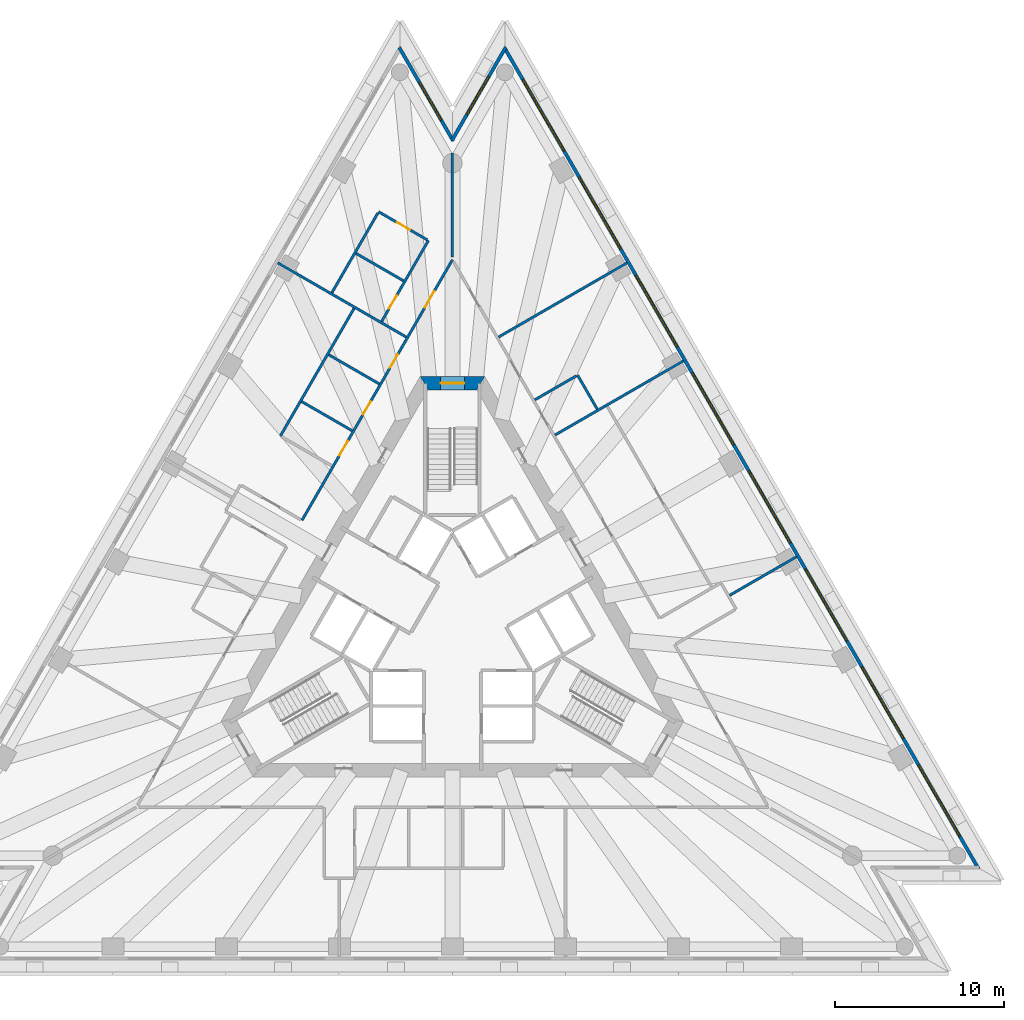
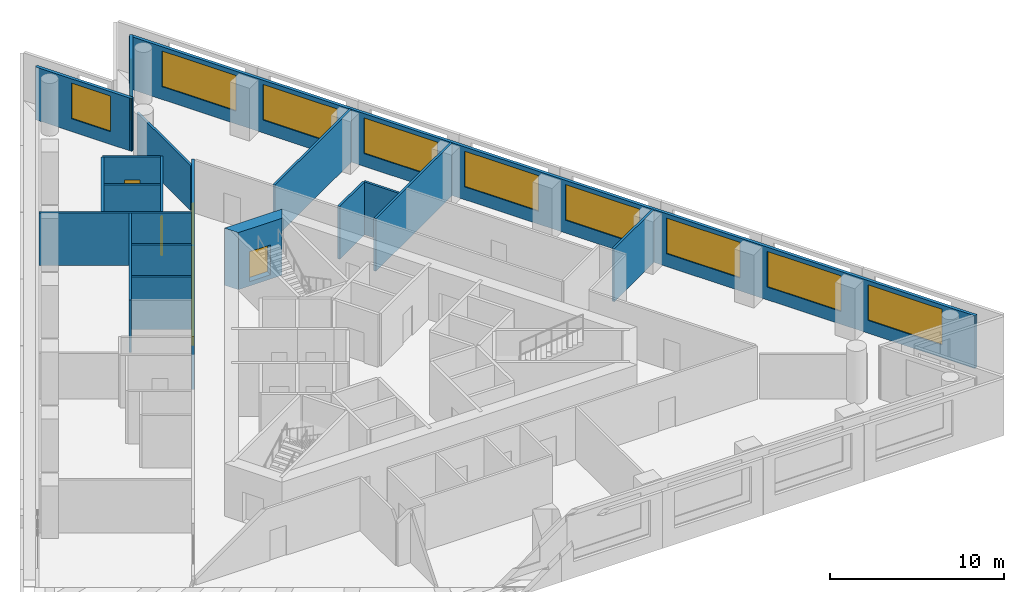
# One storey, part 6 of 9: 19 walls, 10 windows, 7 doors, 17 openings.
"""IFC4 building model written with IfcOpenShell, lengths in metres."""

from ifc_helpers import new_model, si_unit, direction, frame, frame_2d, origin, place, context, subcontext, project, spatial, polyline, rectangle, outline, extrude, material, layer, layer_set, layer_usage, type_object, element, fill, save


model = new_model("IFC4")

# Units and contexts
model_context = context("Model", 3, precision=1e-05, world=origin(), true_north=direction((0.0, 1.0)))
body_context = subcontext(model_context, "Body", "Model", "MODEL_VIEW")
ifc_project = project(units=[si_unit("LENGTHUNIT", "METRE"), si_unit("AREAUNIT", "SQUARE_METRE"), si_unit("VOLUMEUNIT", "CUBIC_METRE"), si_unit("PLANEANGLEUNIT", "RADIAN"), si_unit("MASSUNIT", "GRAM", prefix="KILO")], contexts=[model_context])

# Site, building, storey
site_placement = place(None, origin())
site = spatial("IfcSite", under=ifc_project, at=site_placement, CompositionType="ELEMENT")
building_placement = place(site_placement, origin())
building = spatial("IfcBuilding", under=site, at=building_placement, Name="Triada Interchange Tower", CompositionType="ELEMENT")
storey_placement = place(building_placement, frame((0.0, 0.0, 140.300048828125)))
storey = spatial("IfcBuildingStorey", under=building, at=storey_placement, Name="L32", CompositionType="ELEMENT", Elevation=140.300048828125)

# Wall, opening, door
ifc_material_1 = material(Name="Concrete C60/75", Category="concrete")
ifc_layer_1 = layer(ifc_material_1, 0.800048828125)
ifc_layer_set_1 = layer_set([ifc_layer_1], Name="Core wall B 800")
wall_type_1 = type_object("IfcWallType", Name="Core wall B 800", PredefinedType="SHEAR", material=ifc_layer_set_1)
wall_1_placement = place(storey_placement, frame((1.674072265625, 14.300048828125, -0.300048828125), z_axis=(0.0, 0.0, 1.0), x_axis=(-1.0, 0.0, 0.0)))
wall_1 = element("IfcWall", 1, at=wall_1_placement, inside=storey, type_object=wall_type_1, Name="Core wall WB01 L32", PredefinedType="SHEAR", context=body_context, shape_type="SweptSolid", body=[
    extrude(outline(polyline([(-0.23095703125, -0.39990234375), (1.674072265625, -0.39990234375), (3.5791015625, -0.39990234375), (3.116943359375, 0.39990234375), (1.673828125, 0.39990234375), (0.23095703125, 0.39990234375), (-0.23095703125, -0.39990234375)])), origin(), (0.0, 0.0, 1.0), 4.0),
])
opening_1_placement = place(wall_1_placement, frame((0.97412109375, 0.0, 0.300048828125)))
opening_1 = element("IfcOpeningElement", 2, at=opening_1_placement, cuts=wall_1, Name="Opening D32-35", PredefinedType="OPENING", context=body_context, shape_type="SweptSolid", body=[
    extrude(rectangle(XDim=1.39990234375, YDim=2.10009765625, at=frame_2d((0.699951171875, 1.050048828125))), frame((0.0, 0.409912109375, 0.0), z_axis=(0.0, -1.0, 0.0), x_axis=(1.0, 0.0, 0.0)), (0.0, 0.0, 1.0), 0.820068359375),
])
ifc_material_2 = material(Name="Steel S235 door leaf", Category="steel")
door_type_1 = type_object("IfcDoorType", Name="STAIR DOOR 1400 EI2 90-C5S200", OperationType="DOUBLE_DOOR_SINGLE_SWING", PredefinedType="DOOR", material=ifc_material_2)
door_1_placement = place(opening_1_placement, origin())
door_1 = element("IfcDoor", 3, at=door_1_placement, inside=storey, type_object=door_type_1, Name="Door D32-35 L32", OperationType="DOUBLE_DOOR_SINGLE_SWING", OverallHeight=2.10009765625, OverallWidth=1.39990234375, PredefinedType="DOOR", context=body_context, shape_type="SweptSolid", body=[
    extrude(rectangle(XDim=1.39990234375, YDim=2.10009765625, at=frame_2d((0.699951171875, 1.050048828125))), frame((0.0, 0.02490234375, 0.0), z_axis=(0.0, -1.0, 0.0), x_axis=(1.0, 0.0, 0.0)), (0.0, 0.0, 1.0), 0.050048828125),
])
fill(opening_1, door_1)

# Wall, openings, windows
ifc_material_3 = material(Name="Cement board")
ifc_layer_2 = layer(ifc_material_3, 0.02001953125, Name="Cement board cladding")
ifc_material_4 = material(Name="Sheathing board")
ifc_layer_3 = layer(ifc_material_4, 0.014892578125, Name="Sheathing board")
ifc_material_5 = material(Name="Mineral wool")
ifc_layer_4 = layer(ifc_material_5, 0.14990234375, Name="Mineral wool between steel studs")
ifc_material_6 = material(Name="Gypsum board")
ifc_layer_5 = layer(ifc_material_6, 0.014892578125, Name="Plasterboard lining")
ifc_layer_set_2 = layer_set([ifc_layer_2, ifc_layer_3, ifc_layer_4, ifc_layer_5], Name="External wall 200")
ifc_layer_usage = layer_usage(ifc_layer_set_2, "AXIS2", "POSITIVE", -0.10009765625)
wall_type_2 = type_object("IfcWallType", Name="External wall 200", PredefinedType="ELEMENTEDWALL", material=ifc_layer_set_2)
wall_2_placement = place(storey_placement, frame((31.1259765625, -14.43310546875, 0.0), z_axis=(0.0, 0.0, 1.0), x_axis=(-0.500008098571, 0.866020728022, 0.0)))
wall_2 = element("IfcWall", 4, at=wall_2_placement, inside=storey, type_object=wall_type_2, material=ifc_layer_usage, Name="External wall L32 NE", PredefinedType="ELEMENTEDWALL", context=body_context, shape_type="SweptSolid", body=[
    extrude(rectangle(XDim=56.10498046875, YDim=0.199951171875, at=frame_2d((28.052490234375, 0.0))), origin(), (0.0, 0.0, 1.0), 3.699951171875),
])
opening_2_placement = place(wall_2_placement, frame((2.197998046875, 0.0, 0.89990234375)))
opening_2 = element("IfcOpeningElement", 5, at=opening_2_placement, cuts=wall_2, Name="Opening WB21", PredefinedType="OPENING", context=body_context, shape_type="SweptSolid", body=[
    extrude(rectangle(XDim=4.89990234375, YDim=2.5, at=frame_2d((2.449951171875, 1.25))), frame((0.0, 0.10986328125, 0.0), z_axis=(0.0, -1.0, 0.0), x_axis=(1.0, 0.0, 0.0)), (0.0, 0.0, 1.0), 0.219970703125),
])
opening_3_placement = place(wall_2_placement, frame((8.887939453125, 0.0, 0.89990234375)))
opening_3 = element("IfcOpeningElement", 6, at=opening_3_placement, cuts=wall_2, Name="Opening WB22", PredefinedType="OPENING", context=body_context, shape_type="SweptSolid", body=[
    extrude(rectangle(XDim=4.89990234375, YDim=2.5, at=frame_2d((2.449951171875, 1.25))), frame((0.0, 0.10986328125, 0.0), z_axis=(0.0, -1.0, 0.0), x_axis=(1.0, 0.0, 0.0)), (0.0, 0.0, 1.0), 0.219970703125),
])
opening_4_placement = place(wall_2_placement, frame((15.577880859375, 0.0, 0.89990234375)))
opening_4 = element("IfcOpeningElement", 7, at=opening_4_placement, cuts=wall_2, Name="Opening WB23", PredefinedType="OPENING", context=body_context, shape_type="SweptSolid", body=[
    extrude(rectangle(XDim=4.89990234375, YDim=2.5, at=frame_2d((2.449951171875, 1.25))), frame((0.0, 0.10986328125, 0.0), z_axis=(0.0, -1.0, 0.0), x_axis=(1.0, 0.0, 0.0)), (0.0, 0.0, 1.0), 0.219970703125),
])
opening_5_placement = place(wall_2_placement, frame((22.26708984375, 0.0, 0.89990234375)))
opening_5 = element("IfcOpeningElement", 8, at=opening_5_placement, cuts=wall_2, Name="Opening WB24", PredefinedType="OPENING", context=body_context, shape_type="SweptSolid", body=[
    extrude(rectangle(XDim=4.89990234375, YDim=2.5, at=frame_2d((2.449951171875, 1.25))), frame((0.0, 0.10986328125, 0.0), z_axis=(0.0, -1.0, 0.0), x_axis=(1.0, 0.0, 0.0)), (0.0, 0.0, 1.0), 0.219970703125),
])
opening_6_placement = place(wall_2_placement, frame((28.95703125, 0.0, 0.89990234375)))
opening_6 = element("IfcOpeningElement", 9, at=opening_6_placement, cuts=wall_2, Name="Opening WB25", PredefinedType="OPENING", context=body_context, shape_type="SweptSolid", body=[
    extrude(rectangle(XDim=4.89990234375, YDim=2.5, at=frame_2d((2.449951171875, 1.25))), frame((0.0, 0.10986328125, 0.0), z_axis=(0.0, -1.0, 0.0), x_axis=(1.0, 0.0, 0.0)), (0.0, 0.0, 1.0), 0.219970703125),
])
opening_7_placement = place(wall_2_placement, frame((35.64697265625, 0.0, 0.89990234375)))
opening_7 = element("IfcOpeningElement", 10, at=opening_7_placement, cuts=wall_2, Name="Opening WB26", PredefinedType="OPENING", context=body_context, shape_type="SweptSolid", body=[
    extrude(rectangle(XDim=4.89990234375, YDim=2.5, at=frame_2d((2.449951171875, 1.25))), frame((0.0, 0.10986328125, 0.0), z_axis=(0.0, -1.0, 0.0), x_axis=(1.0, 0.0, 0.0)), (0.0, 0.0, 1.0), 0.219970703125),
])
opening_8_placement = place(wall_2_placement, frame((42.3369140625, 0.0, 0.89990234375)))
opening_8 = element("IfcOpeningElement", 11, at=opening_8_placement, cuts=wall_2, Name="Opening WB27", PredefinedType="OPENING", context=body_context, shape_type="SweptSolid", body=[
    extrude(rectangle(XDim=4.89990234375, YDim=2.5, at=frame_2d((2.449951171875, 1.25))), frame((0.0, 0.10986328125, 0.0), z_axis=(0.0, -1.0, 0.0), x_axis=(1.0, 0.0, 0.0)), (0.0, 0.0, 1.0), 0.219970703125),
])
opening_9_placement = place(wall_2_placement, frame((49.027099609375, 0.0, 0.89990234375)))
opening_9 = element("IfcOpeningElement", 12, at=opening_9_placement, cuts=wall_2, Name="Opening WB28", PredefinedType="OPENING", context=body_context, shape_type="SweptSolid", body=[
    extrude(rectangle(XDim=4.89990234375, YDim=2.5, at=frame_2d((2.449951171875, 1.25))), frame((0.0, 0.10986328125, 0.0), z_axis=(0.0, -1.0, 0.0), x_axis=(1.0, 0.0, 0.0)), (0.0, 0.0, 1.0), 0.219970703125),
])
ifc_material_7 = material(Name="Double glazed aluminium window", Category="aluminium")
window_type_1 = type_object("IfcWindowType", Name="Ribbon window B face", PartitioningType="SINGLE_PANEL", PredefinedType="WINDOW", material=ifc_material_7)
window_1_placement = place(opening_2_placement, origin())
window_1 = element("IfcWindow", 13, at=window_1_placement, inside=storey, type_object=window_type_1, Name="Window L32 NE 1", OverallHeight=2.5, OverallWidth=4.89990234375, PartitioningType="SINGLE_PANEL", PredefinedType="WINDOW", context=body_context, shape_type="SweptSolid", body=[
    extrude(rectangle(XDim=4.89990234375, YDim=2.5, at=frame_2d((2.449951171875, 1.25))), frame((0.0, 0.030029296875, 0.0), z_axis=(0.0, -1.0, 0.0), x_axis=(1.0, 0.0, 0.0)), (0.0, 0.0, 1.0), 0.06005859375),
])
fill(opening_2, window_1)
window_2_placement = place(opening_3_placement, origin())
window_2 = element("IfcWindow", 14, at=window_2_placement, inside=storey, type_object=window_type_1, Name="Window L32 NE 2", OverallHeight=2.5, OverallWidth=4.89990234375, PartitioningType="SINGLE_PANEL", PredefinedType="WINDOW", context=body_context, shape_type="SweptSolid", body=[
    extrude(rectangle(XDim=4.89990234375, YDim=2.5, at=frame_2d((2.449951171875, 1.25))), frame((0.0, 0.030029296875, 0.0), z_axis=(0.0, -1.0, 0.0), x_axis=(1.0, 0.0, 0.0)), (0.0, 0.0, 1.0), 0.06005859375),
])
fill(opening_3, window_2)
window_3_placement = place(opening_4_placement, origin())
window_3 = element("IfcWindow", 15, at=window_3_placement, inside=storey, type_object=window_type_1, Name="Window L32 NE 3", OverallHeight=2.5, OverallWidth=4.89990234375, PartitioningType="SINGLE_PANEL", PredefinedType="WINDOW", context=body_context, shape_type="SweptSolid", body=[
    extrude(rectangle(XDim=4.89990234375, YDim=2.5, at=frame_2d((2.449951171875, 1.25))), frame((0.0, 0.030029296875, 0.0), z_axis=(0.0, -1.0, 0.0), x_axis=(1.0, 0.0, 0.0)), (0.0, 0.0, 1.0), 0.06005859375),
])
fill(opening_4, window_3)
window_4_placement = place(opening_5_placement, origin())
window_4 = element("IfcWindow", 16, at=window_4_placement, inside=storey, type_object=window_type_1, Name="Window L32 NE 4", OverallHeight=2.5, OverallWidth=4.89990234375, PartitioningType="SINGLE_PANEL", PredefinedType="WINDOW", context=body_context, shape_type="SweptSolid", body=[
    extrude(rectangle(XDim=4.89990234375, YDim=2.5, at=frame_2d((2.449951171875, 1.25))), frame((0.0, 0.030029296875, 0.0), z_axis=(0.0, -1.0, 0.0), x_axis=(1.0, 0.0, 0.0)), (0.0, 0.0, 1.0), 0.06005859375),
])
fill(opening_5, window_4)
window_5_placement = place(opening_6_placement, origin())
window_5 = element("IfcWindow", 17, at=window_5_placement, inside=storey, type_object=window_type_1, Name="Window L32 NE 5", OverallHeight=2.5, OverallWidth=4.89990234375, PartitioningType="SINGLE_PANEL", PredefinedType="WINDOW", context=body_context, shape_type="SweptSolid", body=[
    extrude(rectangle(XDim=4.89990234375, YDim=2.5, at=frame_2d((2.449951171875, 1.25))), frame((0.0, 0.030029296875, 0.0), z_axis=(0.0, -1.0, 0.0), x_axis=(1.0, 0.0, 0.0)), (0.0, 0.0, 1.0), 0.06005859375),
])
fill(opening_6, window_5)
window_6_placement = place(opening_7_placement, origin())
window_6 = element("IfcWindow", 18, at=window_6_placement, inside=storey, type_object=window_type_1, Name="Window L32 NE 6", OverallHeight=2.5, OverallWidth=4.89990234375, PartitioningType="SINGLE_PANEL", PredefinedType="WINDOW", context=body_context, shape_type="SweptSolid", body=[
    extrude(rectangle(XDim=4.89990234375, YDim=2.5, at=frame_2d((2.449951171875, 1.25))), frame((0.0, 0.030029296875, 0.0), z_axis=(0.0, -1.0, 0.0), x_axis=(1.0, 0.0, 0.0)), (0.0, 0.0, 1.0), 0.06005859375),
])
fill(opening_7, window_6)
window_7_placement = place(opening_8_placement, origin())
window_7 = element("IfcWindow", 19, at=window_7_placement, inside=storey, type_object=window_type_1, Name="Window L32 NE 7", OverallHeight=2.5, OverallWidth=4.89990234375, PartitioningType="SINGLE_PANEL", PredefinedType="WINDOW", context=body_context, shape_type="SweptSolid", body=[
    extrude(rectangle(XDim=4.89990234375, YDim=2.5, at=frame_2d((2.449951171875, 1.25))), frame((0.0, 0.030029296875, 0.0), z_axis=(0.0, -1.0, 0.0), x_axis=(1.0, 0.0, 0.0)), (0.0, 0.0, 1.0), 0.06005859375),
])
fill(opening_8, window_7)
window_8_placement = place(opening_9_placement, origin())
window_8 = element("IfcWindow", 20, at=window_8_placement, inside=storey, type_object=window_type_1, Name="Window L32 NE 8", OverallHeight=2.5, OverallWidth=4.89990234375, PartitioningType="SINGLE_PANEL", PredefinedType="WINDOW", context=body_context, shape_type="SweptSolid", body=[
    extrude(rectangle(XDim=4.89990234375, YDim=2.5, at=frame_2d((2.449951171875, 1.25))), frame((0.0, 0.030029296875, 0.0), z_axis=(0.0, -1.0, 0.0), x_axis=(1.0, 0.0, 0.0)), (0.0, 0.0, 1.0), 0.06005859375),
])
fill(opening_9, window_8)

# Wall, opening, window
wall_3_placement = place(storey_placement, frame((3.153076171875, 34.172119140625, 0.0), z_axis=(0.0, 0.0, 1.0), x_axis=(-0.499968821344, -0.866043404042, 0.0)))
wall_3 = element("IfcWall", 21, at=wall_3_placement, inside=storey, type_object=wall_type_2, material=ifc_layer_usage, Name="External wall L32 N-1", PredefinedType="ELEMENTEDWALL", context=body_context, shape_type="SweptSolid", body=[
    extrude(rectangle(XDim=6.37646484375, YDim=0.199951171875, at=frame_2d((3.188232421875, 0.0))), origin(), (0.0, 0.0, 1.0), 3.699951171875),
])
opening_10_placement = place(wall_3_placement, frame((1.989990234375, 0.0, 0.89990234375)))
opening_10 = element("IfcOpeningElement", 22, at=opening_10_placement, cuts=wall_3, Name="Opening WB29", PredefinedType="OPENING", context=body_context, shape_type="SweptSolid", body=[
    extrude(rectangle(XDim=2.60009765625, YDim=2.5, at=frame_2d((1.300048828125, 1.25))), frame((0.0, 0.10986328125, 0.0), z_axis=(0.0, -1.0, 0.0), x_axis=(1.0, 0.0, 0.0)), (0.0, 0.0, 1.0), 0.219970703125),
])
window_type_2 = type_object("IfcWindowType", Name="Ribbon window B pocket", PartitioningType="SINGLE_PANEL", PredefinedType="WINDOW", material=ifc_material_7)
window_9_placement = place(opening_10_placement, origin())
window_9 = element("IfcWindow", 23, at=window_9_placement, inside=storey, type_object=window_type_2, Name="Window L32 N-1 1", OverallHeight=2.5, OverallWidth=2.60009765625, PartitioningType="SINGLE_PANEL", PredefinedType="WINDOW", context=body_context, shape_type="SweptSolid", body=[
    extrude(rectangle(XDim=2.60009765625, YDim=2.5, at=frame_2d((1.300048828125, 1.25))), frame((0.0, 0.030029296875, 0.0), z_axis=(0.0, -1.0, 0.0), x_axis=(1.0, 0.0, 0.0)), (0.0, 0.0, 1.0), 0.06005859375),
])
fill(opening_10, window_9)

wall_4_placement = place(storey_placement, frame((0.044921875, 28.633056640625, 0.0), z_axis=(0.0, 0.0, 1.0), x_axis=(-0.49998540044, 0.866033832681, 0.0)))
wall_4 = element("IfcWall", 24, at=wall_4_placement, inside=storey, type_object=wall_type_2, material=ifc_layer_usage, Name="External wall L32 N-2", PredefinedType="ELEMENTEDWALL", context=body_context, shape_type="SweptSolid", body=[
    extrude(rectangle(XDim=6.376220703125, YDim=0.199951171875, at=frame_2d((3.18798828125, 0.0))), origin(), (0.0, 0.0, 1.0), 3.699951171875),
])
opening_11_placement = place(wall_4_placement, frame((1.389892578125, 0.0, 0.89990234375)))
opening_11 = element("IfcOpeningElement", 25, at=opening_11_placement, cuts=wall_4, Name="Opening WB30", PredefinedType="OPENING", context=body_context, shape_type="SweptSolid", body=[
    extrude(rectangle(XDim=2.60009765625, YDim=2.5, at=frame_2d((1.300048828125, 1.25))), frame((0.0, 0.10986328125, 0.0), z_axis=(0.0, -1.0, 0.0), x_axis=(1.0, 0.0, 0.0)), (0.0, 0.0, 1.0), 0.219970703125),
])
window_10_placement = place(opening_11_placement, origin())
window_10 = element("IfcWindow", 26, at=window_10_placement, inside=storey, type_object=window_type_2, Name="Window L32 N-2 1", OverallHeight=2.5, OverallWidth=2.60009765625, PartitioningType="SINGLE_PANEL", PredefinedType="WINDOW", context=body_context, shape_type="SweptSolid", body=[
    extrude(rectangle(XDim=2.60009765625, YDim=2.5, at=frame_2d((1.300048828125, 1.25))), frame((0.0, 0.030029296875, 0.0), z_axis=(0.0, -1.0, 0.0), x_axis=(1.0, 0.0, 0.0)), (0.0, 0.0, 1.0), 0.06005859375),
])
fill(opening_11, window_10)

# Wall, openings, doors
ifc_material_8 = material(Name="Gypsum board partition")
ifc_layer_6 = layer(ifc_material_8, 0.14990234375)
ifc_layer_set_3 = layer_set([ifc_layer_6], Name="PARTITION 150 EI 180")
wall_type_3 = type_object("IfcWallType", Name="PARTITION 150 EI 180", PredefinedType="PARTITIONING", material=ifc_layer_set_3)
wall_5_placement = place(storey_placement, frame((-8.902099609375, 6.180908203125, 0.0), z_axis=(0.0, 0.0, 1.0), x_axis=(0.499992688384, 0.866029625107, 0.0)))
wall_5 = element("IfcWall", 27, at=wall_5_placement, inside=storey, type_object=wall_type_3, Name="Wall L32 8", PredefinedType="PARTITIONING", context=body_context, shape_type="SweptSolid", body=[
    extrude(rectangle(XDim=17.804443359375, YDim=0.14990234375, at=frame_2d((8.90234375, 0.0))), origin(), (0.0, 0.0, 1.0), 3.699951171875),
])
opening_12_placement = place(wall_5_placement, frame((14.553955078125, 0.0, 0.0)))
opening_12 = element("IfcOpeningElement", 28, at=opening_12_placement, cuts=wall_5, Name="Opening D32-23", PredefinedType="OPENING", context=body_context, shape_type="SweptSolid", body=[
    extrude(rectangle(XDim=1.10009765625, YDim=2.10009765625, at=frame_2d((0.550048828125, 1.050048828125))), frame((0.0, 0.0849609375, 0.0), z_axis=(0.0, -1.0, 0.0), x_axis=(1.0, 0.0, 0.0)), (0.0, 0.0, 1.0), 0.169921875),
])
opening_13_placement = place(wall_5_placement, frame((10.427978515625, 0.0, 0.0)))
opening_13 = element("IfcOpeningElement", 29, at=opening_13_placement, cuts=wall_5, Name="Opening D32-27", PredefinedType="OPENING", context=body_context, shape_type="SweptSolid", body=[
    extrude(rectangle(XDim=0.89990234375, YDim=2.10009765625, at=frame_2d((0.449951171875, 1.050048828125))), frame((0.0, 0.0849609375, 0.0), z_axis=(0.0, -1.0, 0.0), x_axis=(1.0, 0.0, 0.0)), (0.0, 0.0, 1.0), 0.169921875),
])
opening_14_placement = place(wall_5_placement, frame((7.22802734375, 0.0, 0.0)))
opening_14 = element("IfcOpeningElement", 30, at=opening_14_placement, cuts=wall_5, Name="Opening D32-28", PredefinedType="OPENING", context=body_context, shape_type="SweptSolid", body=[
    extrude(rectangle(XDim=0.89990234375, YDim=2.10009765625, at=frame_2d((0.449951171875, 1.050048828125))), frame((0.0, 0.0849609375, 0.0), z_axis=(0.0, -1.0, 0.0), x_axis=(1.0, 0.0, 0.0)), (0.0, 0.0, 1.0), 0.169921875),
])
opening_15_placement = place(wall_5_placement, frame((4.427978515625, 0.0, 0.0)))
opening_15 = element("IfcOpeningElement", 31, at=opening_15_placement, cuts=wall_5, Name="Opening D32-29", PredefinedType="OPENING", context=body_context, shape_type="SweptSolid", body=[
    extrude(rectangle(XDim=1.0, YDim=2.10009765625, at=frame_2d((0.5, 1.050048828125))), frame((0.0, 0.0849609375, 0.0), z_axis=(0.0, -1.0, 0.0), x_axis=(1.0, 0.0, 0.0)), (0.0, 0.0, 1.0), 0.169921875),
])
door_type_2 = type_object("IfcDoorType", Name="ROOM DOOR 1000 EI2 90-C5S200", OperationType="NOTDEFINED", PredefinedType="DOOR", material=ifc_material_2)
door_2_placement = place(opening_15_placement, origin())
door_2 = element("IfcDoor", 32, at=door_2_placement, inside=storey, type_object=door_type_2, Name="Door D32-29 L32", OperationType="SINGLE_SWING_LEFT", OverallHeight=2.10009765625, OverallWidth=1.0, PredefinedType="DOOR", context=body_context, shape_type="SweptSolid", body=[
    extrude(rectangle(XDim=1.0, YDim=2.10009765625, at=frame_2d((0.5, 1.050048828125))), frame((0.0, 0.02490234375, 0.0), z_axis=(0.0, -1.0, 0.0), x_axis=(1.0, 0.0, 0.0)), (0.0, 0.0, 1.0), 0.050048828125),
])
fill(opening_15, door_2)
door_type_3 = type_object("IfcDoorType", Name="ROOM DOOR 900 EI2 90-C5S200", OperationType="NOTDEFINED", PredefinedType="DOOR", material=ifc_material_2)
door_3_placement = place(opening_13_placement, origin())
door_3 = element("IfcDoor", 33, at=door_3_placement, inside=storey, type_object=door_type_3, Name="Door D32-27 L32", OperationType="SINGLE_SWING_RIGHT", OverallHeight=2.10009765625, OverallWidth=0.89990234375, PredefinedType="DOOR", context=body_context, shape_type="SweptSolid", body=[
    extrude(rectangle(XDim=0.89990234375, YDim=2.10009765625, at=frame_2d((0.449951171875, 1.050048828125))), frame((0.0, 0.02490234375, 0.0), z_axis=(0.0, -1.0, 0.0), x_axis=(1.0, 0.0, 0.0)), (0.0, 0.0, 1.0), 0.050048828125),
])
fill(opening_13, door_3)
door_4_placement = place(opening_14_placement, origin())
door_4 = element("IfcDoor", 34, at=door_4_placement, inside=storey, type_object=door_type_3, Name="Door D32-28 L32", OperationType="SINGLE_SWING_RIGHT", OverallHeight=2.10009765625, OverallWidth=0.89990234375, PredefinedType="DOOR", context=body_context, shape_type="SweptSolid", body=[
    extrude(rectangle(XDim=0.89990234375, YDim=2.10009765625, at=frame_2d((0.449951171875, 1.050048828125))), frame((0.0, 0.02490234375, 0.0), z_axis=(0.0, -1.0, 0.0), x_axis=(1.0, 0.0, 0.0)), (0.0, 0.0, 1.0), 0.050048828125),
])
fill(opening_14, door_4)
door_type_4 = type_object("IfcDoorType", Name="TENANCY ENTRANCE DOOR 1100 EI2 90-C5S200", OperationType="NOTDEFINED", PredefinedType="DOOR", material=ifc_material_2)
door_5_placement = place(opening_12_placement, origin())
door_5 = element("IfcDoor", 35, at=door_5_placement, inside=storey, type_object=door_type_4, Name="Door D32-23 L32", OperationType="SINGLE_SWING_RIGHT", OverallHeight=2.10009765625, OverallWidth=1.10009765625, PredefinedType="DOOR", context=body_context, shape_type="SweptSolid", body=[
    extrude(rectangle(XDim=1.10009765625, YDim=2.10009765625, at=frame_2d((0.550048828125, 1.050048828125))), frame((0.0, 0.02490234375, 0.0), z_axis=(0.0, -1.0, 0.0), x_axis=(1.0, 0.0, 0.0)), (0.0, 0.0, 1.0), 0.050048828125),
])
fill(opening_12, door_5)

# Walls
wall_6_placement = place(storey_placement, frame((-10.3349609375, 21.4169921875, 0.0), z_axis=(0.0, 0.0, 1.0), x_axis=(0.866014327354, -0.50001918445, 0.0)))
element("IfcWall", 36, at=wall_6_placement, inside=storey, type_object=wall_type_3, Name="Wall L32 18", PredefinedType="PARTITIONING", context=body_context, shape_type="SweptSolid", body=[
    extrude(rectangle(XDim=8.783935546875, YDim=0.14990234375, at=frame_2d((4.39208984375, 0.0))), origin(), (0.0, 0.0, 1.0), 3.699951171875),
])
wall_7_placement = place(storey_placement, frame((-10.180908203125, 11.1669921875, 0.0), z_axis=(0.0, 0.0, 1.0), x_axis=(0.500033294772, 0.866006180185, 0.0)))
element("IfcWall", 37, at=wall_7_placement, inside=storey, type_object=wall_type_3, Name="Wall L32 19", PredefinedType="PARTITIONING", context=body_context, shape_type="SweptSolid", body=[
    extrude(rectangle(XDim=8.72509765625, YDim=0.14990234375, at=frame_2d((4.362548828125, 0.0))), origin(), (0.0, 0.0, 1.0), 3.699951171875),
])
for number, where, z_axis, x_axis, name in (
    (38, (-8.916015625, 13.2080078125, 0.0), (0.0, 0.0, 1.0), (0.866031223622, -0.49998991961, 0.0), "Wall L32 21"),
    (39, (-7.31591796875, 15.97900390625, 0.0), (0.0, 0.0, 1.0), (0.866031223622, -0.49998991961, 0.0), "Wall L32 22"),
):
    element("IfcWall", number, at=place(storey_placement, frame(where, z_axis=z_axis, x_axis=x_axis)), inside=storey, type_object=wall_type_3, Name=name, PredefinedType="PARTITIONING", context=body_context, shape_type="SweptSolid", body=[
        extrude(rectangle(XDim=3.4501953125, YDim=0.14990234375, at=frame_2d((1.72509765625, 0.0))), origin(), (0.0, 0.0, 1.0), 3.699951171875),
    ])
wall_8_placement = place(storey_placement, frame((0.0, 21.75, 0.0), z_axis=(0.0, 0.0, 1.0), x_axis=(0.0, 1.0, 0.0)))
element("IfcWall", 40, at=wall_8_placement, inside=storey, type_object=wall_type_3, Name="Wall L32 27", PredefinedType="PARTITIONING", context=body_context, shape_type="SweptSolid", body=[
    extrude(rectangle(XDim=6.180908203125, YDim=0.14990234375, at=frame_2d((3.09033203125, 0.0))), origin(), (0.0, 0.0, 1.0), 3.14990234375),
])
wall_9_placement = place(storey_placement, frame((2.72802734375, 17.02490234375, 0.0), z_axis=(0.0, 0.0, 1.0), x_axis=(0.866014327354, 0.50001918445, 0.0)))
element("IfcWall", 41, at=wall_9_placement, inside=storey, type_object=wall_type_3, Name="Wall L32 32", PredefinedType="PARTITIONING", context=body_context, shape_type="SweptSolid", body=[
    extrude(rectangle(XDim=8.783935546875, YDim=0.14990234375, at=frame_2d((4.39208984375, 0.0))), origin(), (0.0, 0.0, 1.0), 3.699951171875),
])
wall_10_placement = place(storey_placement, frame((7.406005859375, 14.77197265625, 0.0), z_axis=(0.0, 0.0, 1.0), x_axis=(0.50029509392, -0.865854964183, 0.0)))
element("IfcWall", 42, at=wall_10_placement, inside=storey, type_object=wall_type_3, Name="Wall L32 33", PredefinedType="PARTITIONING", context=body_context, shape_type="SweptSolid", body=[
    extrude(rectangle(XDim=2.32470703125, YDim=0.14990234375, at=frame_2d((1.162353515625, 0.0))), origin(), (0.0, 0.0, 1.0), 3.699951171875),
])
wall_11_placement = place(storey_placement, frame((4.873046875, 13.31005859375, 0.0), z_axis=(0.0, 0.0, 1.0), x_axis=(0.866004402611, 0.500036373335, 0.0)))
element("IfcWall", 43, at=wall_11_placement, inside=storey, type_object=wall_type_3, Name="Wall L32 34", PredefinedType="PARTITIONING", context=body_context, shape_type="SweptSolid", body=[
    extrude(rectangle(XDim=2.849853515625, YDim=0.14990234375, at=frame_2d((1.4248046875, 0.0))), origin(), (0.0, 0.0, 1.0), 3.699951171875),
])
wall_12_placement = place(storey_placement, frame((6.072998046875, 11.23095703125, 0.0), z_axis=(0.0, 0.0, 1.0), x_axis=(0.866014327354, 0.50001918445, 0.0)))
element("IfcWall", 44, at=wall_12_placement, inside=storey, type_object=wall_type_3, Name="Wall L32 35", PredefinedType="PARTITIONING", context=body_context, shape_type="SweptSolid", body=[
    extrude(rectangle(XDim=8.783935546875, YDim=0.14990234375, at=frame_2d((4.39208984375, 0.0))), origin(), (0.0, 0.0, 1.0), 3.699951171875),
])
wall_13_placement = place(storey_placement, frame((16.39990234375, 1.743896484375, 0.0), z_axis=(0.0, 0.0, 1.0), x_axis=(0.866045467449, 0.499965247104, 0.0)))
element("IfcWall", 45, at=wall_13_placement, inside=storey, type_object=wall_type_3, Name="Wall L32 39", PredefinedType="PARTITIONING", context=body_context, shape_type="SweptSolid", body=[
    extrude(rectangle(XDim=4.584228515625, YDim=0.14990234375, at=frame_2d((2.2919921875, 0.0))), origin(), (0.0, 0.0, 1.0), 3.699951171875),
])

# Wall, opening, door
ifc_layer_7 = layer(ifc_material_8, 0.14990234375)
ifc_layer_set_4 = layer_set([ifc_layer_7], Name="PARTITION 150 EI 90")
wall_type_4 = type_object("IfcWallType", Name="PARTITION 150 EI 90", PredefinedType="PARTITIONING", material=ifc_layer_set_4)
wall_14_placement = place(storey_placement, frame((-4.18408203125, 17.952880859375, 0.0), z_axis=(0.0, 0.0, 1.0), x_axis=(0.499974945523, 0.866039868511, 0.0)))
wall_14 = element("IfcWall", 46, at=wall_14_placement, inside=storey, type_object=wall_type_4, Name="Wall L32 41", PredefinedType="PARTITIONING", context=body_context, shape_type="SweptSolid", body=[
    extrude(rectangle(XDim=5.524169921875, YDim=0.14990234375, at=frame_2d((2.76220703125, 0.0))), origin(), (0.0, 0.0, 1.0), 3.699951171875),
])
opening_16_placement = place(wall_14_placement, frame((0.8740234375, 0.0, 0.0)))
opening_16 = element("IfcOpeningElement", 47, at=opening_16_placement, cuts=wall_14, Name="Opening D32-24", PredefinedType="OPENING", context=body_context, shape_type="SweptSolid", body=[
    extrude(rectangle(XDim=0.89990234375, YDim=2.10009765625, at=frame_2d((0.449951171875, 1.050048828125))), frame((0.0, 0.0849609375, 0.0), z_axis=(0.0, -1.0, 0.0), x_axis=(1.0, 0.0, 0.0)), (0.0, 0.0, 1.0), 0.169921875),
])
door_type_5 = type_object("IfcDoorType", Name="ROOM DOOR 900 EI2 45-C5S200", OperationType="NOTDEFINED", PredefinedType="DOOR", material=ifc_material_2)
door_6_placement = place(opening_16_placement, origin())
door_6 = element("IfcDoor", 48, at=door_6_placement, inside=storey, type_object=door_type_5, Name="Door D32-24 L32", OperationType="SINGLE_SWING_LEFT", OverallHeight=2.10009765625, OverallWidth=0.89990234375, PredefinedType="DOOR", context=body_context, shape_type="SweptSolid", body=[
    extrude(rectangle(XDim=0.89990234375, YDim=2.10009765625, at=frame_2d((0.449951171875, 1.050048828125))), frame((0.0, 0.02490234375, 0.0), z_axis=(0.0, -1.0, 0.0), x_axis=(1.0, 0.0, 0.0)), (0.0, 0.0, 1.0), 0.050048828125),
])
fill(opening_16, door_6)

wall_15_placement = place(storey_placement, frame((-4.365966796875, 24.43701171875, 0.0), z_axis=(0.0, 0.0, 1.0), x_axis=(0.866029041019, -0.499993700073, 0.0)))
wall_15 = element("IfcWall", 49, at=wall_15_placement, inside=storey, type_object=wall_type_4, Name="Wall L32 42", PredefinedType="PARTITIONING", context=body_context, shape_type="SweptSolid", body=[
    extrude(rectangle(XDim=3.32421875, YDim=0.14990234375, at=frame_2d((1.662109375, 0.0))), origin(), (0.0, 0.0, 1.0), 3.699951171875),
])
opening_17_placement = place(wall_15_placement, frame((1.25, 0.0, 0.0)))
opening_17 = element("IfcOpeningElement", 50, at=opening_17_placement, cuts=wall_15, Name="Opening D32-25", PredefinedType="OPENING", context=body_context, shape_type="SweptSolid", body=[
    extrude(rectangle(XDim=0.89990234375, YDim=2.10009765625, at=frame_2d((0.449951171875, 1.050048828125))), frame((0.0, 0.0849609375, 0.0), z_axis=(0.0, -1.0, 0.0), x_axis=(1.0, 0.0, 0.0)), (0.0, 0.0, 1.0), 0.169921875),
])
door_7_placement = place(opening_17_placement, origin())
door_7 = element("IfcDoor", 51, at=door_7_placement, inside=storey, type_object=door_type_5, Name="Door D32-25 L32", OperationType="SINGLE_SWING_LEFT", OverallHeight=2.10009765625, OverallWidth=0.89990234375, PredefinedType="DOOR", context=body_context, shape_type="SweptSolid", body=[
    extrude(rectangle(XDim=0.89990234375, YDim=2.10009765625, at=frame_2d((0.449951171875, 1.050048828125))), frame((0.0, 0.02490234375, 0.0), z_axis=(0.0, -1.0, 0.0), x_axis=(1.0, 0.0, 0.0)), (0.0, 0.0, 1.0), 0.050048828125),
])
fill(opening_17, door_7)

# Walls
wall_16_placement = place(storey_placement, frame((-7.12890625, 19.653076171875, 0.0), z_axis=(0.0, 0.0, 1.0), x_axis=(0.500046929803, 0.865998307155, 0.0)))
element("IfcWall", 52, at=wall_16_placement, inside=storey, type_object=wall_type_4, Name="Wall L32 43", PredefinedType="PARTITIONING", context=body_context, shape_type="SweptSolid", body=[
    extrude(rectangle(XDim=5.44921875, YDim=0.14990234375, at=frame_2d((2.724609375, 0.0))), origin(), (0.0, 0.0, 1.0), 3.699951171875),
])
wall_17_placement = place(storey_placement, frame((-5.700927734375, 21.97509765625, 0.0), z_axis=(0.0, 0.0, 1.0), x_axis=(0.865977875238, -0.500082312822, 0.0)))
element("IfcWall", 53, at=wall_17_placement, inside=storey, type_object=wall_type_4, Name="Wall L32 44", PredefinedType="PARTITIONING", context=body_context, shape_type="SweptSolid", body=[
    extrude(rectangle(XDim=3.24951171875, YDim=0.14990234375, at=frame_2d((1.624755859375, 0.0))), origin(), (0.0, 0.0, 1.0), 3.699951171875),
])

save(model, "model.ifc")
